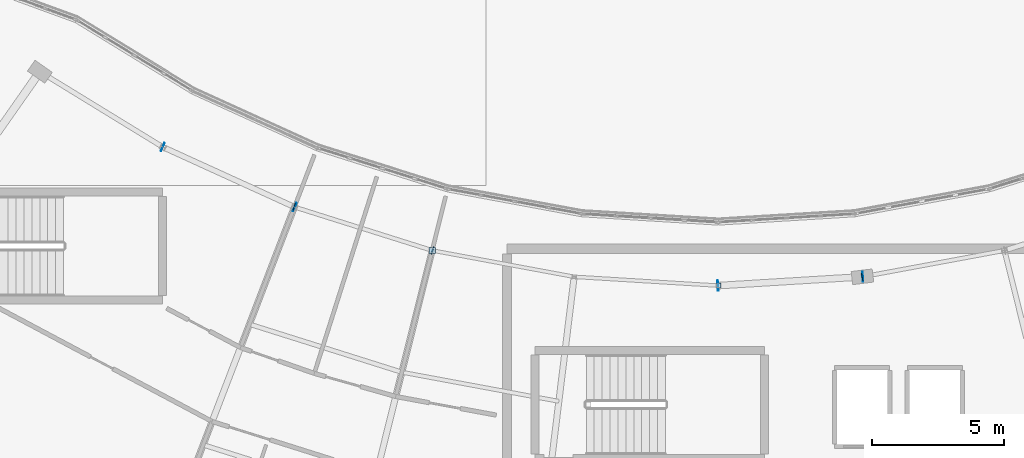
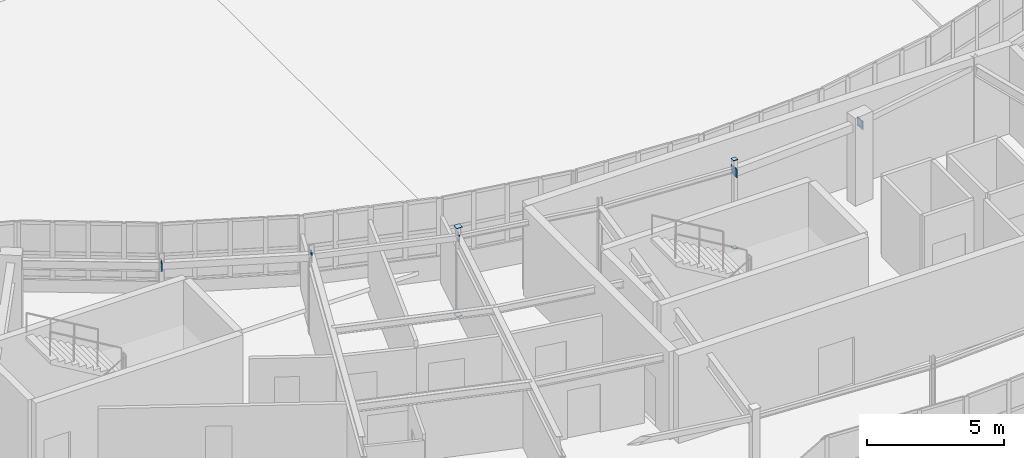
# One storey, part 85 of 128: 11 plates.
"""IFC4 building model written with IfcOpenShell, lengths in metres."""

from ifc_helpers import new_model, si_unit, direction, frame, origin, origin_2d, place, context, subcontext, project, spatial, rectangle, extrude, material, layer, layer_set, type_object, element, save


model = new_model("IFC4")

# Units and contexts
model_context = context("Model", 3, precision=1e-05, world=origin(), true_north=direction((0.0, 1.0)))
body_context = subcontext(model_context, "Body", "Model", "MODEL_VIEW")
ifc_project = project(units=[si_unit("LENGTHUNIT", "METRE"), si_unit("AREAUNIT", "SQUARE_METRE"), si_unit("VOLUMEUNIT", "CUBIC_METRE"), si_unit("PLANEANGLEUNIT", "RADIAN"), si_unit("MASSUNIT", "GRAM", prefix="KILO")], contexts=[model_context])

# Site, building, storey
site_placement = place(None, origin())
site = spatial("IfcSite", under=ifc_project, at=site_placement, CompositionType="ELEMENT")
building_placement = place(site_placement, origin())
building = spatial("IfcBuilding", under=site, at=building_placement, Name="Tarnwether General Hospital", CompositionType="ELEMENT")
storey_placement = place(building_placement, frame((0.0, 0.0, 14.39990234375)))
storey = spatial("IfcBuildingStorey", under=building, at=storey_placement, Name="L03", CompositionType="ELEMENT", Elevation=14.39990234375)

# Plates
ifc_material = material(Name="Steel Grade 350 (350 MPa)", Category="steel")
ifc_layer = layer(ifc_material, 0.02490234375)
ifc_layer_set = layer_set([ifc_layer], Name="Steel Grade 350 (350 MPa)")
plate_type = type_object("IfcPlateType", Name="PT-GUS2", PredefinedType="USERDEFINED", material=ifc_layer_set)
for number, where, z_axis, x_axis, name in (
    (1, (81.162109375, 19.531005859375, -0.02490234375), (0.0, 0.0, 1.0), (1.0, 0.0, 0.0), "Hollow Section Welded End Cap Plate 0657"),
    (2, (81.162109375, 19.531005859375, 3.900146484375), (0.0, 0.0, 1.0), (1.0, 0.0, 0.0), "Hollow Section Welded End Cap Plate 0658"),
):
    element("IfcPlate", number, at=place(storey_placement, frame(where, z_axis=z_axis, x_axis=x_axis)), inside=storey, type_object=plate_type, Name=name, ObjectType="GUSSET", PredefinedType="USERDEFINED", context=body_context, shape_type="SweptSolid", body=[
        extrude(rectangle(XDim=0.23388671875, YDim=0.23388671875, at=origin_2d()), origin(), (0.0, 0.0, 1.0), 0.02490234375),
    ])
for number, where, z_axis, x_axis, name in (
    (3, (92.0, 18.199951171875, -0.02490234375), (0.0, 0.0, 1.0), (1.0, 0.0, 0.0), "Hollow Section Welded End Cap Plate 0689"),
    (4, (92.0, 18.199951171875, 3.900146484375), (0.0, 0.0, 1.0), (1.0, 0.0, 0.0), "Hollow Section Welded End Cap Plate 0690"),
):
    element("IfcPlate", number, at=place(storey_placement, frame(where, z_axis=z_axis, x_axis=x_axis)), inside=storey, type_object=plate_type, Name=name, ObjectType="GUSSET", PredefinedType="USERDEFINED", context=body_context, shape_type="SweptSolid", body=[
        extrude(rectangle(XDim=0.18994140625, YDim=0.18994140625, at=origin_2d()), origin(), (0.0, 0.0, 1.0), 0.02490234375),
    ])
for number, where, z_axis, x_axis, name in (
    (5, (70.95654296875, 23.44921875, 3.240234375), (0.0, 0.0, 1.0), (0.9099685085, -0.414677360773, 0.0), "Hollow Section Welded End Cap Plate 1107"),
    (6, (75.956298828125, 21.1708984375, 3.240234375), (0.0, 0.0, 1.0), (0.9099685085, -0.414677360773, 0.0), "Hollow Section Welded End Cap Plate 1108"),
):
    element("IfcPlate", number, at=place(storey_placement, frame(where, z_axis=z_axis, x_axis=x_axis)), inside=storey, type_object=plate_type, Name=name, ObjectType="GUSSET", PredefinedType="USERDEFINED", context=body_context, shape_type="SweptSolid", body=[
        extrude(rectangle(XDim=0.02490234375, YDim=0.340087890625, at=origin_2d()), origin(), (0.0, 0.0, 1.0), 0.340087890625),
    ])
for number, where, z_axis, x_axis, name in (
    (7, (75.93310546875, 21.1796875, 3.2900390625), (0.0, 0.0, 1.0), (0.953711702297, -0.300722444959, 0.0), "Hollow Section Welded End Cap Plate 1111"),
    (8, (81.173828125, 19.527099609375, 3.2900390625), (0.0, 0.0, 1.0), (0.953711702297, -0.300722444959, 0.0), "Hollow Section Welded End Cap Plate 1112"),
):
    element("IfcPlate", number, at=place(storey_placement, frame(where, z_axis=z_axis, x_axis=x_axis)), inside=storey, type_object=plate_type, Name=name, ObjectType="GUSSET", PredefinedType="USERDEFINED", context=body_context, shape_type="SweptSolid", body=[
        extrude(rectangle(XDim=0.02490234375, YDim=0.2900390625, at=origin_2d()), origin(), (0.0, 0.0, 1.0), 0.2900390625),
    ])
for number, where, z_axis, x_axis, name in (
    (9, (91.987548828125, 18.19921875, 3.18994140625), (0.0, 0.0, 1.0), (0.998133732772, 0.061065960264, 0.0), "Hollow Section Welded End Cap Plate 1115"),
    (10, (97.472412109375, 18.534912109375, 3.18994140625), (0.0, 0.0, 1.0), (0.998133732772, 0.061065960264, 0.0), "Hollow Section Welded End Cap Plate 1116"),
):
    element("IfcPlate", number, at=place(storey_placement, frame(where, z_axis=z_axis, x_axis=x_axis)), inside=storey, type_object=plate_type, Name=name, ObjectType="GUSSET", PredefinedType="USERDEFINED", context=body_context, shape_type="SweptSolid", body=[
        extrude(rectangle(XDim=0.02490234375, YDim=0.389892578125, at=origin_2d()), origin(), (0.0, 0.0, 1.0), 0.389892578125),
    ])
plate_placement = place(storey_placement, frame((97.44775390625, 18.53173828125, 3.2900390625), z_axis=(0.0, 0.0, 1.0), x_axis=(0.983245364386, 0.182287008349, 0.0)))
element("IfcPlate", 11, at=plate_placement, inside=storey, type_object=plate_type, Name="Hollow Section Welded End Cap Plate 1119", ObjectType="GUSSET", PredefinedType="USERDEFINED", context=body_context, shape_type="SweptSolid", body=[
    extrude(rectangle(XDim=0.02490234375, YDim=0.2900390625, at=origin_2d()), origin(), (0.0, 0.0, 1.0), 0.2900390625),
])

save(model, "model.ifc")
